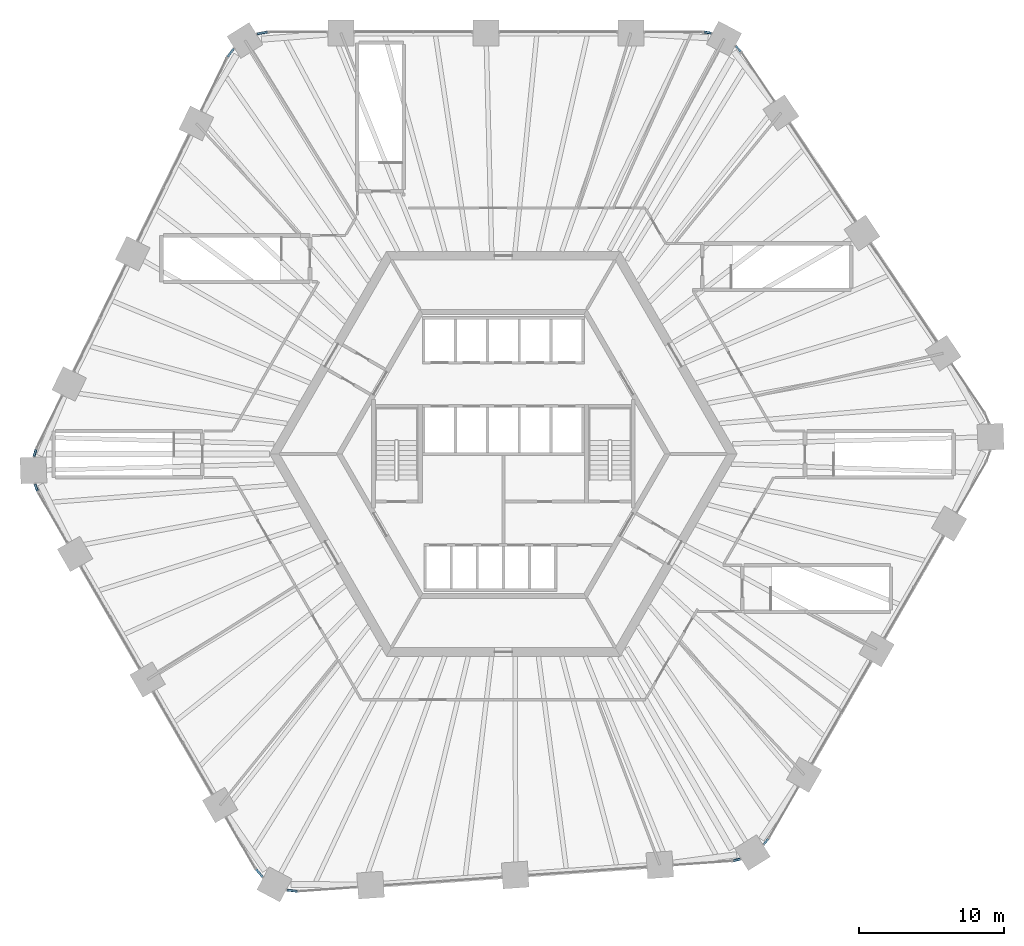
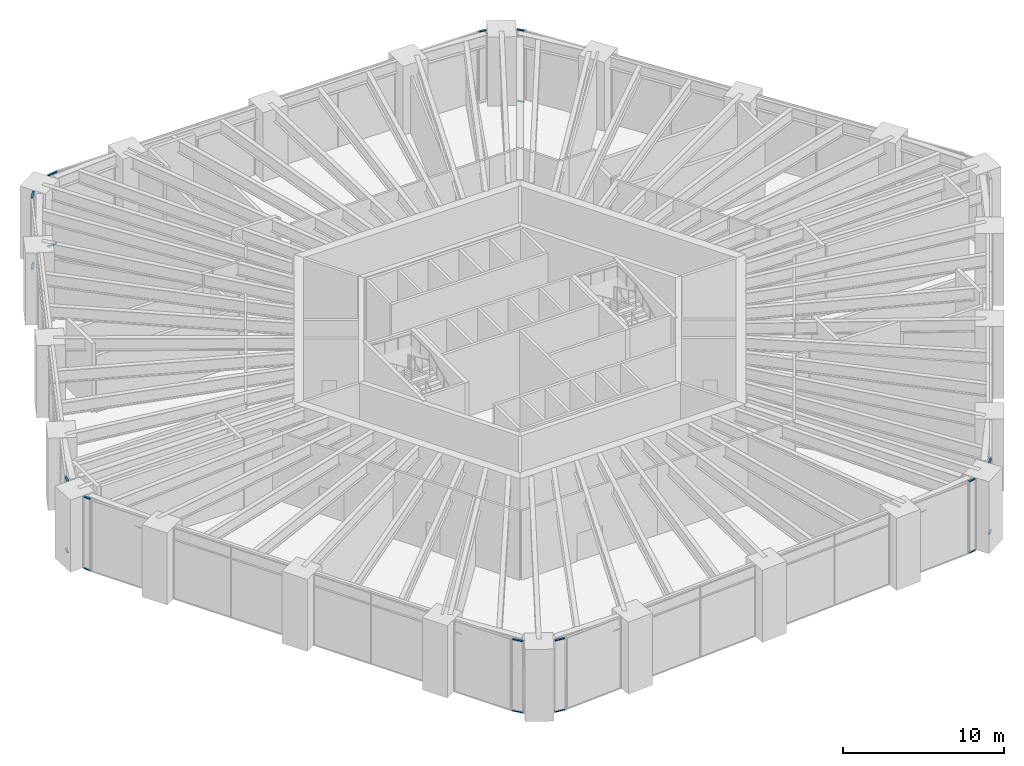
# One storey, part 11 of 25: 20 members, 10 elements without a shape of their own.
"""IFC4 building model written with IfcOpenShell, lengths in metres."""

from ifc_helpers import new_model, si_unit, direction, frame, origin, origin_2d, place, context, subcontext, project, spatial, rectangle, extrude, material, material_profile, profile_set, type_object, element, aggregate, save


model = new_model("IFC4")

# Units and contexts
model_context = context("Model", 3, precision=1e-05, world=origin(), true_north=direction((0.0, 1.0)))
body_context = subcontext(model_context, "Body", "Model", "MODEL_VIEW")
ifc_project = project(units=[si_unit("LENGTHUNIT", "METRE"), si_unit("AREAUNIT", "SQUARE_METRE"), si_unit("VOLUMEUNIT", "CUBIC_METRE"), si_unit("PLANEANGLEUNIT", "RADIAN"), si_unit("MASSUNIT", "GRAM", prefix="KILO")], contexts=[model_context])

# Site, building, storey
site_placement = place(None, origin())
site = spatial("IfcSite", under=ifc_project, at=site_placement, CompositionType="ELEMENT")
building_placement = place(site_placement, origin())
building = spatial("IfcBuilding", under=site, at=building_placement, Name="Tarnside Tower", CompositionType="ELEMENT")
storey_placement = place(building_placement, frame((0.0, 0.0, 26.0)))
storey = spatial("IfcBuildingStorey", under=building, at=storey_placement, Name="L04", CompositionType="ELEMENT", Elevation=26.0)

# Curtain wall, members
ifc_material_1 = material(Name="Retail shopfront glazing wall", Category="glass")
curtain_wall_type = type_object("IfcCurtainWallType", Name="Retail shopfront glazing wall", PredefinedType="NOTDEFINED", material=ifc_material_1)
curtain_wall_1_placement = place(storey_placement, origin())
curtain_wall_1 = element("IfcCurtainWall", 1, at=curtain_wall_1_placement, inside=storey, type_object=curtain_wall_type, Name="Retail shopfront glazing L04 02.1", PredefinedType="NOTDEFINED")
ifc_material_2 = material(Name="Aluminium alloy 6063", Category="aluminium")
ifc_material_profile = material_profile(ifc_material_2, rectangle(XDim=0.139892578125, YDim=0.06005859375, at=origin_2d()), Name="Retail shopfront glazing transom 60 x 140")
ifc_profile_set = profile_set([ifc_material_profile], Name="Aluminium alloy 6063")
member_type = type_object("IfcMemberType", Name="Retail shopfront glazing transom 60 x 140", PredefinedType="USERDEFINED", material=ifc_profile_set)
member_1_placement = place(storey_placement, frame((-16.3203125, 29.16748046875, -0.219970703125), z_axis=(-0.982702316211, -0.185192218287, 0.0), x_axis=(0.185192218287, -0.982702316211, 0.0)))
member_1 = element("IfcMember", 2, at=member_1_placement, type_object=member_type, Name="CW2 transom 1.1", ObjectType="TRANSOM", PredefinedType="USERDEFINED", context=body_context, shape_type="SweptSolid", body=[
    extrude(rectangle(XDim=0.139892578125, YDim=0.06005859375, at=origin_2d()), origin(), (0.0, 0.0, 1.0), 0.701416015625),
])
member_2_placement = place(storey_placement, frame((-16.3203125, 29.16748046875, 5.169921875), z_axis=(-0.982702316211, -0.185192218287, 0.0), x_axis=(0.185192218287, -0.982702316211, 0.0)))
member_2 = element("IfcMember", 3, at=member_2_placement, type_object=member_type, Name="CW2 transom 1.2", ObjectType="TRANSOM", PredefinedType="USERDEFINED", context=body_context, shape_type="SweptSolid", body=[
    extrude(rectangle(XDim=0.139892578125, YDim=0.06005859375, at=origin_2d()), origin(), (0.0, 0.0, 1.0), 0.701416015625),
])
aggregate(curtain_wall_1, [member_1, member_2])

curtain_wall_2_placement = place(storey_placement, origin())
curtain_wall_2 = element("IfcCurtainWall", 4, at=curtain_wall_2_placement, inside=storey, type_object=curtain_wall_type, Name="Retail shopfront glazing L04 03.0", PredefinedType="NOTDEFINED")
member_3_placement = place(storey_placement, frame((-18.642333984375, 28.017333984375, -0.219970703125), z_axis=(-0.59732331485, -0.802000534624, 0.0), x_axis=(0.802000534624, -0.59732331485, 0.0)))
member_3 = element("IfcMember", 5, at=member_3_placement, type_object=member_type, Name="CW2 transom 1.1", ObjectType="TRANSOM", PredefinedType="USERDEFINED", context=body_context, shape_type="SweptSolid", body=[
    extrude(rectangle(XDim=0.139892578125, YDim=0.06005859375, at=origin_2d()), origin(), (0.0, 0.0, 1.0), 0.701416015625),
])
member_4_placement = place(storey_placement, frame((-18.642333984375, 28.017333984375, 5.169921875), z_axis=(-0.59732331485, -0.802000534624, 0.0), x_axis=(0.802000534624, -0.59732331485, 0.0)))
member_4 = element("IfcMember", 6, at=member_4_placement, type_object=member_type, Name="CW2 transom 1.2", ObjectType="TRANSOM", PredefinedType="USERDEFINED", context=body_context, shape_type="SweptSolid", body=[
    extrude(rectangle(XDim=0.139892578125, YDim=0.06005859375, at=origin_2d()), origin(), (0.0, 0.0, 1.0), 0.701416015625),
])
aggregate(curtain_wall_2, [member_3, member_4])

curtain_wall_3_placement = place(storey_placement, origin())
curtain_wall_3 = element("IfcCurtainWall", 7, at=curtain_wall_3_placement, inside=storey, type_object=curtain_wall_type, Name="Retail shopfront glazing L04 06.1", PredefinedType="NOTDEFINED")
member_5_placement = place(storey_placement, frame((-32.30908203125, 0.296630859375, -0.219970703125), z_axis=(-0.28665935523, -0.958032574634, 0.0), x_axis=(0.958032574634, -0.28665935523, 0.0)))
member_5 = element("IfcMember", 8, at=member_5_placement, type_object=member_type, Name="CW2 transom 1.1", ObjectType="TRANSOM", PredefinedType="USERDEFINED", context=body_context, shape_type="SweptSolid", body=[
    extrude(rectangle(XDim=0.139892578125, YDim=0.06005859375, at=origin_2d()), origin(), (0.0, 0.0, 1.0), 0.488037109375),
])
member_6_placement = place(storey_placement, frame((-32.30908203125, 0.296630859375, 5.169921875), z_axis=(-0.28665935523, -0.958032574634, 0.0), x_axis=(0.958032574634, -0.28665935523, 0.0)))
member_6 = element("IfcMember", 9, at=member_6_placement, type_object=member_type, Name="CW2 transom 1.2", ObjectType="TRANSOM", PredefinedType="USERDEFINED", context=body_context, shape_type="SweptSolid", body=[
    extrude(rectangle(XDim=0.139892578125, YDim=0.06005859375, at=origin_2d()), origin(), (0.0, 0.0, 1.0), 0.488037109375),
])
aggregate(curtain_wall_3, [member_5, member_6])

curtain_wall_4_placement = place(storey_placement, origin())
curtain_wall_4 = element("IfcCurtainWall", 10, at=curtain_wall_4_placement, inside=storey, type_object=curtain_wall_type, Name="Retail shopfront glazing L04 07.0", PredefinedType="NOTDEFINED")
member_7_placement = place(storey_placement, frame((-32.3818359375, -2.093017578125, -0.219970703125), z_axis=(0.353040734425, -0.935607951995, 0.0), x_axis=(0.935607951995, 0.353040734425, 0.0)))
member_7 = element("IfcMember", 11, at=member_7_placement, type_object=member_type, Name="CW2 transom 1.1", ObjectType="TRANSOM", PredefinedType="USERDEFINED", context=body_context, shape_type="SweptSolid", body=[
    extrude(rectangle(XDim=0.139892578125, YDim=0.06005859375, at=origin_2d()), origin(), (0.0, 0.0, 1.0), 0.48828125),
])
member_8_placement = place(storey_placement, frame((-32.3818359375, -2.093017578125, 5.169921875), z_axis=(0.353040734425, -0.935607951995, 0.0), x_axis=(0.935607951995, 0.353040734425, 0.0)))
member_8 = element("IfcMember", 12, at=member_8_placement, type_object=member_type, Name="CW2 transom 1.2", ObjectType="TRANSOM", PredefinedType="USERDEFINED", context=body_context, shape_type="SweptSolid", body=[
    extrude(rectangle(XDim=0.139892578125, YDim=0.06005859375, at=origin_2d()), origin(), (0.0, 0.0, 1.0), 0.48828125),
])
aggregate(curtain_wall_4, [member_7, member_8])

curtain_wall_5_placement = place(storey_placement, origin())
curtain_wall_5 = element("IfcCurtainWall", 13, at=curtain_wall_5_placement, inside=storey, type_object=curtain_wall_type, Name="Retail shopfront glazing L04 10.1", PredefinedType="NOTDEFINED")
member_9_placement = place(storey_placement, frame((-17.099609375, -28.717529296875, -0.219970703125), z_axis=(0.651650977988, -0.758518953545, 0.0), x_axis=(0.758518953545, 0.651650977988, 0.0)))
member_9 = element("IfcMember", 14, at=member_9_placement, type_object=member_type, Name="CW2 transom 1.1", ObjectType="TRANSOM", PredefinedType="USERDEFINED", context=body_context, shape_type="SweptSolid", body=[
    extrude(rectangle(XDim=0.139892578125, YDim=0.06005859375, at=origin_2d()), origin(), (0.0, 0.0, 1.0), 0.701416015625),
])
member_10_placement = place(storey_placement, frame((-17.099609375, -28.717529296875, 5.169921875), z_axis=(0.651650977988, -0.758518953545, 0.0), x_axis=(0.758518953545, 0.651650977988, 0.0)))
member_10 = element("IfcMember", 15, at=member_10_placement, type_object=member_type, Name="CW2 transom 1.2", ObjectType="TRANSOM", PredefinedType="USERDEFINED", context=body_context, shape_type="SweptSolid", body=[
    extrude(rectangle(XDim=0.139892578125, YDim=0.06005859375, at=origin_2d()), origin(), (0.0, 0.0, 1.0), 0.701416015625),
])
aggregate(curtain_wall_5, [member_9, member_10])

curtain_wall_6_placement = place(storey_placement, origin())
curtain_wall_6 = element("IfcCurtainWall", 16, at=curtain_wall_6_placement, inside=storey, type_object=curtain_wall_type, Name="Retail shopfront glazing L04 11.0", PredefinedType="NOTDEFINED")
member_11_placement = place(storey_placement, frame((-14.942626953125, -30.153564453125, -0.219970703125), z_axis=(0.99325712703, -0.115932219874, 0.0), x_axis=(0.115932219874, 0.99325712703, 0.0)))
member_11 = element("IfcMember", 17, at=member_11_placement, type_object=member_type, Name="CW2 transom 1.1", ObjectType="TRANSOM", PredefinedType="USERDEFINED", context=body_context, shape_type="SweptSolid", body=[
    extrude(rectangle(XDim=0.139892578125, YDim=0.06005859375, at=origin_2d()), origin(), (0.0, 0.0, 1.0), 0.701171875),
])
member_12_placement = place(storey_placement, frame((-14.942626953125, -30.153564453125, 5.169921875), z_axis=(0.99325712703, -0.115932219874, 0.0), x_axis=(0.115932219874, 0.99325712703, 0.0)))
member_12 = element("IfcMember", 18, at=member_12_placement, type_object=member_type, Name="CW2 transom 1.2", ObjectType="TRANSOM", PredefinedType="USERDEFINED", context=body_context, shape_type="SweptSolid", body=[
    extrude(rectangle(XDim=0.139892578125, YDim=0.06005859375, at=origin_2d()), origin(), (0.0, 0.0, 1.0), 0.701171875),
])
aggregate(curtain_wall_6, [member_11, member_12])

curtain_wall_7_placement = place(storey_placement, origin())
curtain_wall_7 = element("IfcCurtainWall", 19, at=curtain_wall_7_placement, inside=storey, type_object=curtain_wall_type, Name="Retail shopfront glazing L04 14.1", PredefinedType="NOTDEFINED")
member_13_placement = place(storey_placement, frame((15.8974609375, -28.128662109375, -0.219970703125), z_axis=(0.973068482104, 0.23051622315, 0.0), x_axis=(-0.23051622315, 0.973068482104, 0.0)))
member_13 = element("IfcMember", 20, at=member_13_placement, type_object=member_type, Name="CW2 transom 1.1", ObjectType="TRANSOM", PredefinedType="USERDEFINED", context=body_context, shape_type="SweptSolid", body=[
    extrude(rectangle(XDim=0.139892578125, YDim=0.06005859375, at=origin_2d()), origin(), (0.0, 0.0, 1.0), 0.48828125),
])
member_14_placement = place(storey_placement, frame((15.8974609375, -28.128662109375, 5.169921875), z_axis=(0.973068482104, 0.23051622315, 0.0), x_axis=(-0.23051622315, 0.973068482104, 0.0)))
member_14 = element("IfcMember", 21, at=member_14_placement, type_object=member_type, Name="CW2 transom 1.2", ObjectType="TRANSOM", PredefinedType="USERDEFINED", context=body_context, shape_type="SweptSolid", body=[
    extrude(rectangle(XDim=0.139892578125, YDim=0.06005859375, at=origin_2d()), origin(), (0.0, 0.0, 1.0), 0.48828125),
])
aggregate(curtain_wall_7, [member_13, member_14])

curtain_wall_8_placement = place(storey_placement, origin())
curtain_wall_8 = element("IfcCurtainWall", 22, at=curtain_wall_8_placement, inside=storey, type_object=curtain_wall_type, Name="Retail shopfront glazing L04 15.0", PredefinedType="NOTDEFINED")
member_15_placement = place(storey_placement, frame((18.00341796875, -26.9970703125, -0.219970703125), z_axis=(0.633918150603, 0.773400141153, 0.0), x_axis=(-0.773400141153, 0.633918150603, 0.0)))
member_15 = element("IfcMember", 23, at=member_15_placement, type_object=member_type, Name="CW2 transom 1.1", ObjectType="TRANSOM", PredefinedType="USERDEFINED", context=body_context, shape_type="SweptSolid", body=[
    extrude(rectangle(XDim=0.139892578125, YDim=0.06005859375, at=origin_2d()), origin(), (0.0, 0.0, 1.0), 0.48828125),
])
member_16_placement = place(storey_placement, frame((18.00341796875, -26.9970703125, 5.169921875), z_axis=(0.633918150603, 0.773400141153, 0.0), x_axis=(-0.773400141153, 0.633918150603, 0.0)))
member_16 = element("IfcMember", 24, at=member_16_placement, type_object=member_type, Name="CW2 transom 1.2", ObjectType="TRANSOM", PredefinedType="USERDEFINED", context=body_context, shape_type="SweptSolid", body=[
    extrude(rectangle(XDim=0.139892578125, YDim=0.06005859375, at=origin_2d()), origin(), (0.0, 0.0, 1.0), 0.48828125),
])
aggregate(curtain_wall_8, [member_15, member_16])

curtain_wall_9_placement = place(storey_placement, origin())
curtain_wall_9 = element("IfcCurtainWall", 25, at=curtain_wall_9_placement, inside=storey, type_object=curtain_wall_type, Name="Retail shopfront glazing L04 22.1", PredefinedType="NOTDEFINED")
member_17_placement = place(storey_placement, frame((16.411376953125, 27.83203125, -0.219970703125), z_axis=(-0.686050683866, 0.727553750019, 0.0), x_axis=(-0.727553750019, -0.686050683866, 0.0)))
member_17 = element("IfcMember", 26, at=member_17_placement, type_object=member_type, Name="CW2 transom 1.1", ObjectType="TRANSOM", PredefinedType="USERDEFINED", context=body_context, shape_type="SweptSolid", body=[
    extrude(rectangle(XDim=0.139892578125, YDim=0.06005859375, at=origin_2d()), origin(), (0.0, 0.0, 1.0), 0.48828125),
])
member_18_placement = place(storey_placement, frame((16.411376953125, 27.83203125, 5.169921875), z_axis=(-0.686050683866, 0.727553750019, 0.0), x_axis=(-0.727553750019, -0.686050683866, 0.0)))
member_18 = element("IfcMember", 27, at=member_18_placement, type_object=member_type, Name="CW2 transom 1.2", ObjectType="TRANSOM", PredefinedType="USERDEFINED", context=body_context, shape_type="SweptSolid", body=[
    extrude(rectangle(XDim=0.139892578125, YDim=0.06005859375, at=origin_2d()), origin(), (0.0, 0.0, 1.0), 0.48828125),
])
aggregate(curtain_wall_9, [member_17, member_18])

curtain_wall_10_placement = place(storey_placement, origin())
curtain_wall_10 = element("IfcCurtainWall", 28, at=curtain_wall_10_placement, inside=storey, type_object=curtain_wall_type, Name="Retail shopfront glazing L04 23.0", PredefinedType="NOTDEFINED")
member_19_placement = place(storey_placement, frame((14.37841796875, 29.090087890625, -0.219970703125), z_axis=(-0.986783124025, 0.162046493758, 0.0), x_axis=(-0.162046493758, -0.986783124025, 0.0)))
member_19 = element("IfcMember", 29, at=member_19_placement, type_object=member_type, Name="CW2 transom 1.1", ObjectType="TRANSOM", PredefinedType="USERDEFINED", context=body_context, shape_type="SweptSolid", body=[
    extrude(rectangle(XDim=0.139892578125, YDim=0.06005859375, at=origin_2d()), origin(), (0.0, 0.0, 1.0), 0.488037109375),
])
member_20_placement = place(storey_placement, frame((14.37841796875, 29.090087890625, 5.169921875), z_axis=(-0.986783124025, 0.162046493758, 0.0), x_axis=(-0.162046493758, -0.986783124025, 0.0)))
member_20 = element("IfcMember", 30, at=member_20_placement, type_object=member_type, Name="CW2 transom 1.2", ObjectType="TRANSOM", PredefinedType="USERDEFINED", context=body_context, shape_type="SweptSolid", body=[
    extrude(rectangle(XDim=0.139892578125, YDim=0.06005859375, at=origin_2d()), origin(), (0.0, 0.0, 1.0), 0.488037109375),
])
aggregate(curtain_wall_10, [member_19, member_20])

save(model, "model.ifc")
